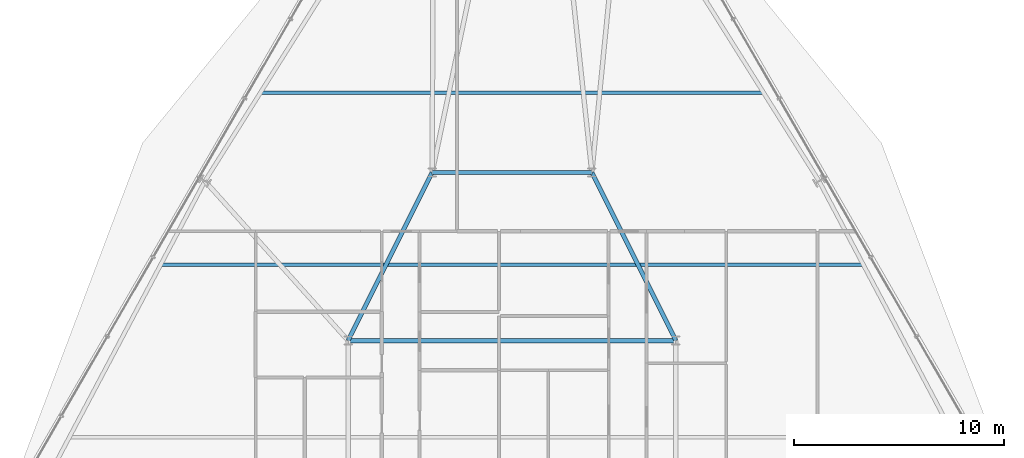
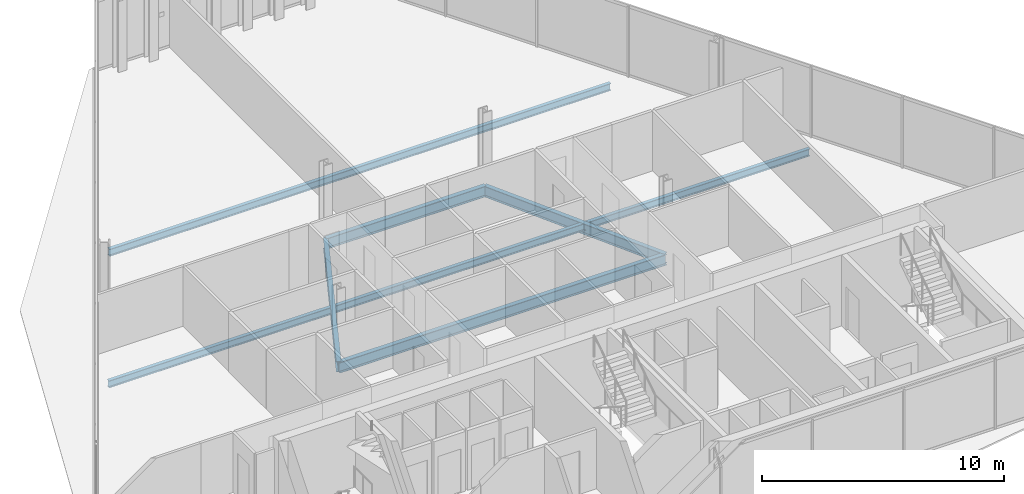
# One storey, part 15 of 36: 6 beams.
"""IFC4 building model written with IfcOpenShell, lengths in metres."""

from ifc_helpers import new_model, si_unit, direction, frame, origin, origin_2d, place, context, subcontext, project, spatial, i_section, extrude, material, material_profile, profile_set, type_object, element, save


model = new_model("IFC4")

# Units and contexts
model_context = context("Model", 3, precision=1e-05, world=origin(), true_north=direction((0.0, 1.0)))
body_context = subcontext(model_context, "Body", "Model", "MODEL_VIEW")
ifc_project = project(units=[si_unit("LENGTHUNIT", "METRE"), si_unit("AREAUNIT", "SQUARE_METRE"), si_unit("VOLUMEUNIT", "CUBIC_METRE"), si_unit("PLANEANGLEUNIT", "RADIAN"), si_unit("MASSUNIT", "GRAM", prefix="KILO")], contexts=[model_context])

# Site, building, storey
site_placement = place(None, origin())
site = spatial("IfcSite", under=ifc_project, at=site_placement, CompositionType="ELEMENT")
building_placement = place(site_placement, origin())
building = spatial("IfcBuilding", under=site, at=building_placement, Name="Ndaravel Arena Tower", CompositionType="ELEMENT")
storey_placement = place(building_placement, frame((0.0, 0.0, 127.0)))
storey = spatial("IfcBuildingStorey", under=building, at=storey_placement, Name="L29", CompositionType="ELEMENT", Elevation=127.0)

# Beams
ifc_material_1 = material(Name="Steel S355", Category="steel")
ifc_material_profile_1 = material_profile(ifc_material_1, i_section(OverallWidth=0.210693359375, OverallDepth=0.53955078125, WebThickness=0.01171875, FlangeThickness=0.018798828125, FilletRadius=0.0126953125, at=origin_2d()), Name="UB 533x210x109")
ifc_profile_set_1 = profile_set([ifc_material_profile_1], Name="Steel S355")
beam_type_1 = type_object("IfcBeamType", Name="BM-GIRD-UB533", PredefinedType="BEAM", material=ifc_profile_set_1)
beam_1_placement = place(storey_placement, frame((34.199951171875, 23.199951171875, -0.48974609375), z_axis=(1.0, 0.0, 0.0), x_axis=(0.0, 1.0, 0.0)))
element("IfcBeam", 1, at=beam_1_placement, inside=storey, type_object=beam_type_1, Name="L29 Spine Link Girder SLG-03", PredefinedType="BEAM", context=body_context, shape_type="SweptSolid", body=[
    extrude(i_section(OverallWidth=0.210693359375, OverallDepth=0.53955078125, WebThickness=0.01171875, FlangeThickness=0.018798828125, FilletRadius=0.0126953125, at=origin_2d()), origin(), (0.0, 0.0, 1.0), 15.60009765625),
])
for number, where, z_axis, x_axis, name in (
    (2, (34.199951171875, 23.199951171875, -0.48974609375), (0.4472135955, 0.894427191, 0.0), (-0.894427191, 0.4472135955, 0.0), "L29 Spine Link Girder SLG-04"),
    (3, (49.800048828125, 23.199951171875, -0.48974609375), (-0.4472135955, 0.894427191, 0.0), (-0.894427191, -0.4472135955, 0.0), "L29 Spine Link Girder SLG-05"),
):
    element("IfcBeam", number, at=place(storey_placement, frame(where, z_axis=z_axis, x_axis=x_axis)), inside=storey, type_object=beam_type_1, Name=name, PredefinedType="BEAM", context=body_context, shape_type="SweptSolid", body=[
        extrude(i_section(OverallWidth=0.210693359375, OverallDepth=0.53955078125, WebThickness=0.01171875, FlangeThickness=0.018798828125, FilletRadius=0.0126953125, at=origin_2d()), origin(), (0.0, 0.0, 1.0), 8.9443359375),
    ])
beam_2_placement = place(storey_placement, frame((38.199951171875, 31.199951171875, -0.48974609375), z_axis=(1.0, 0.0, 0.0), x_axis=(0.0, 1.0, 0.0)))
element("IfcBeam", 4, at=beam_2_placement, inside=storey, type_object=beam_type_1, Name="L29 Spine Link Girder SLG-06", PredefinedType="BEAM", context=body_context, shape_type="SweptSolid", body=[
    extrude(i_section(OverallWidth=0.210693359375, OverallDepth=0.53955078125, WebThickness=0.01171875, FlangeThickness=0.018798828125, FilletRadius=0.0126953125, at=origin_2d()), origin(), (0.0, 0.0, 1.0), 7.60009765625),
])
ifc_material_2 = material(Name="Steel S355", Category="steel")
ifc_material_profile_2 = material_profile(ifc_material_2, i_section(OverallWidth=0.172119140625, OverallDepth=0.35791015625, WebThickness=0.008056640625, FlangeThickness=0.012939453125, FilletRadius=0.01025390625, at=origin_2d()), Name="UB 356x171x57")
ifc_profile_set_2 = profile_set([ifc_material_profile_2], Name="Steel S355")
beam_type_2 = type_object("IfcBeamType", Name="BM-JOIST-UB356", PredefinedType="JOIST", material=ifc_profile_set_2)
beam_3_placement = place(storey_placement, frame((25.276611328125, 26.800048828125, -0.39892578125), z_axis=(1.0, 0.0, 0.0), x_axis=(0.0, 1.0, 0.0)))
element("IfcBeam", 5, at=beam_3_placement, inside=storey, type_object=beam_type_2, Name="L29 Composite Floor Joist FJ-02", PredefinedType="JOIST", context=body_context, shape_type="SweptSolid", body=[
    extrude(i_section(OverallWidth=0.172119140625, OverallDepth=0.35791015625, WebThickness=0.008056640625, FlangeThickness=0.012939453125, FilletRadius=0.01025390625, at=origin_2d()), origin(), (0.0, 0.0, 1.0), 33.44677734375),
])
beam_4_placement = place(storey_placement, frame((30.0302734375, 35.0, -0.39892578125), z_axis=(1.0, 0.0, 0.0), x_axis=(0.0, 1.0, 0.0)))
element("IfcBeam", 6, at=beam_4_placement, inside=storey, type_object=beam_type_2, Name="L29 Composite Floor Joist FJ-03", PredefinedType="JOIST", context=body_context, shape_type="SweptSolid", body=[
    extrude(i_section(OverallWidth=0.172119140625, OverallDepth=0.35791015625, WebThickness=0.008056640625, FlangeThickness=0.012939453125, FilletRadius=0.01025390625, at=origin_2d()), origin(), (0.0, 0.0, 1.0), 23.939453125),
])

save(model, "model.ifc")
